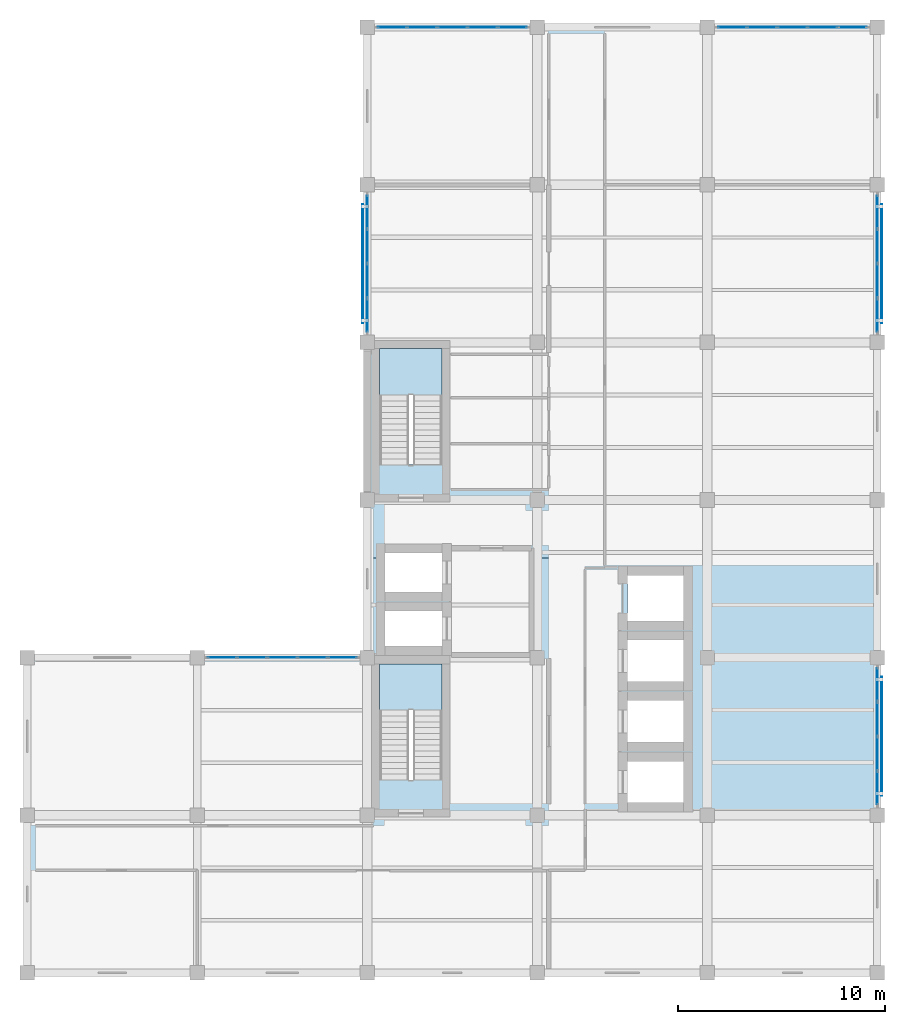
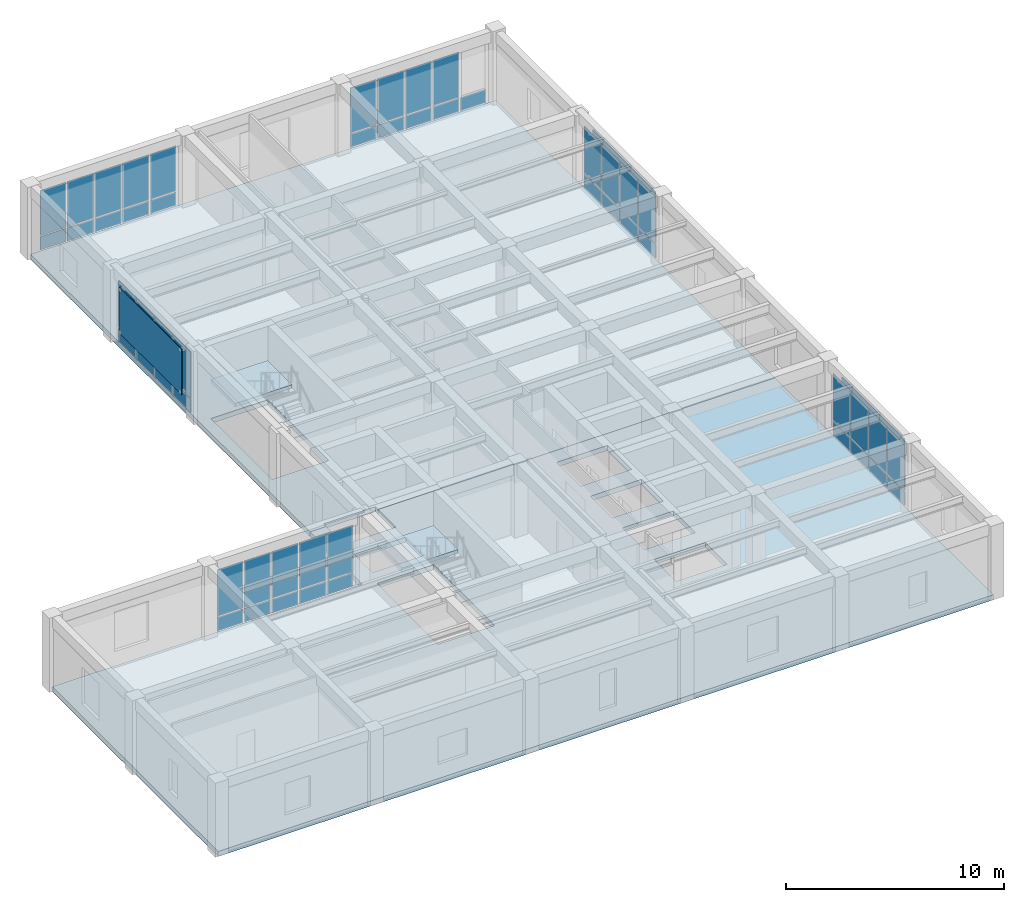
# One storey, part 6 of 13: 56 plates, 4 slabs, 8 elements without a shape of their own.
"""IFC4 building model written with IfcOpenShell, lengths in metres."""

from ifc_helpers import new_model, si_unit, direction, frame, origin, origin_2d, place, context, subcontext, project, spatial, polyline, rectangle, outline, extrude, material, layer, layer_set, type_object, element, aggregate, save


model = new_model("IFC4")

# Units and contexts
model_context = context("Model", 3, precision=1e-05, world=origin(), true_north=direction((0.0, 1.0)))
body_context = subcontext(model_context, "Body", "Model", "MODEL_VIEW")
ifc_project = project(units=[si_unit("LENGTHUNIT", "METRE"), si_unit("AREAUNIT", "SQUARE_METRE"), si_unit("VOLUMEUNIT", "CUBIC_METRE"), si_unit("PLANEANGLEUNIT", "RADIAN"), si_unit("MASSUNIT", "GRAM", prefix="KILO")], contexts=[model_context])

# Site, building, storey
site_placement = place(None, origin())
site = spatial("IfcSite", under=ifc_project, at=site_placement, CompositionType="ELEMENT")
building_placement = place(site_placement, origin())
building = spatial("IfcBuilding", under=site, at=building_placement, Name="Qandaris Square Conservatory and Botanical Centre", CompositionType="ELEMENT")
storey_placement = place(building_placement, frame((0.0, 0.0, 61.800048828125)))
storey = spatial("IfcBuildingStorey", under=building, at=storey_placement, Name="L14", CompositionType="ELEMENT", Elevation=61.800048828125)

# Curtain wall, plates
ifc_material_1 = material(Name="Anodised Aluminium", Category="aluminium")
curtain_wall_type_1 = type_object("IfcCurtainWallType", Name="Unitised Curtain Wall CW-4-670x355", PredefinedType="USERDEFINED", material=ifc_material_1)
curtain_wall_1_placement = place(storey_placement, origin())
curtain_wall_1 = element("IfcCurtainWall", 1, at=curtain_wall_1_placement, inside=storey, type_object=curtain_wall_type_1, Name="Curtain Wall CW-TWR-L14-2-2", ObjectType="GLAZED CURTAIN WALL", PredefinedType="USERDEFINED")
ifc_material_2 = material(Name="Tempered Low-E Glass", Category="glass")
ifc_layer_1 = layer(ifc_material_2, 0.035888671875)
ifc_layer_set_1 = layer_set([ifc_layer_1], Name="Tempered Low-E Glass")
plate_type_1 = type_object("IfcPlateType", Name="Double-Glazed Solar Control Vision Unit 36mm", PredefinedType="CURTAIN_PANEL", material=ifc_layer_set_1)
plate_1_placement = place(storey_placement, frame((163.800048828125, 25.503662109375, 0.06494140625), z_axis=(0.0, 0.0, 1.0), x_axis=(0.0, 1.0, 0.0)))
plate_1 = element("IfcPlate", 2, at=plate_1_placement, type_object=plate_type_1, Name="CW-4-670x355 panel 1.1", PredefinedType="CURTAIN_PANEL", context=body_context, shape_type="SweptSolid", body=[
    extrude(rectangle(XDim=1.577392578125, YDim=0.035888671875, at=origin_2d()), origin(), (0.0, 0.0, 1.0), 0.75244140625),
])
plate_2_placement = place(storey_placement, frame((163.800048828125, 25.503662109375, 0.88232421875), z_axis=(0.0, 0.0, 1.0), x_axis=(0.0, 1.0, 0.0)))
plate_2 = element("IfcPlate", 3, at=plate_2_placement, type_object=plate_type_1, Name="CW-4-670x355 panel 1.2", PredefinedType="CURTAIN_PANEL", context=body_context, shape_type="SweptSolid", body=[
    extrude(rectangle(XDim=1.577392578125, YDim=0.035888671875, at=origin_2d()), origin(), (0.0, 0.0, 1.0), 2.597412109375),
])
plate_3_placement = place(storey_placement, frame((163.800048828125, 27.16259765625, 0.06494140625), z_axis=(0.0, 0.0, 1.0), x_axis=(0.0, 1.0, 0.0)))
plate_3 = element("IfcPlate", 4, at=plate_3_placement, type_object=plate_type_1, Name="CW-4-670x355 panel 2.1", PredefinedType="CURTAIN_PANEL", context=body_context, shape_type="SweptSolid", body=[
    extrude(rectangle(XDim=1.610107421875, YDim=0.035888671875, at=origin_2d()), origin(), (0.0, 0.0, 1.0), 0.75244140625),
])
plate_4_placement = place(storey_placement, frame((163.800048828125, 27.16259765625, 0.88232421875), z_axis=(0.0, 0.0, 1.0), x_axis=(0.0, 1.0, 0.0)))
plate_4 = element("IfcPlate", 5, at=plate_4_placement, type_object=plate_type_1, Name="CW-4-670x355 panel 2.2", PredefinedType="CURTAIN_PANEL", context=body_context, shape_type="SweptSolid", body=[
    extrude(rectangle(XDim=1.610107421875, YDim=0.035888671875, at=origin_2d()), origin(), (0.0, 0.0, 1.0), 2.597412109375),
])
plate_5_placement = place(storey_placement, frame((163.800048828125, 28.83740234375, 0.06494140625), z_axis=(0.0, 0.0, 1.0), x_axis=(0.0, 1.0, 0.0)))
plate_5 = element("IfcPlate", 6, at=plate_5_placement, type_object=plate_type_1, Name="CW-4-670x355 panel 3.1", PredefinedType="CURTAIN_PANEL", context=body_context, shape_type="SweptSolid", body=[
    extrude(rectangle(XDim=1.610107421875, YDim=0.035888671875, at=origin_2d()), origin(), (0.0, 0.0, 1.0), 0.75244140625),
])
plate_6_placement = place(storey_placement, frame((163.800048828125, 28.83740234375, 0.88232421875), z_axis=(0.0, 0.0, 1.0), x_axis=(0.0, 1.0, 0.0)))
plate_6 = element("IfcPlate", 7, at=plate_6_placement, type_object=plate_type_1, Name="CW-4-670x355 panel 3.2", PredefinedType="CURTAIN_PANEL", context=body_context, shape_type="SweptSolid", body=[
    extrude(rectangle(XDim=1.610107421875, YDim=0.035888671875, at=origin_2d()), origin(), (0.0, 0.0, 1.0), 2.597412109375),
])
plate_7_placement = place(storey_placement, frame((163.800048828125, 30.496337890625, 0.06494140625), z_axis=(0.0, 0.0, 1.0), x_axis=(0.0, 1.0, 0.0)))
plate_7 = element("IfcPlate", 8, at=plate_7_placement, type_object=plate_type_1, Name="CW-4-670x355 panel 4.1", PredefinedType="CURTAIN_PANEL", context=body_context, shape_type="SweptSolid", body=[
    extrude(rectangle(XDim=1.577392578125, YDim=0.035888671875, at=origin_2d()), origin(), (0.0, 0.0, 1.0), 0.75244140625),
])
plate_8_placement = place(storey_placement, frame((163.800048828125, 30.496337890625, 0.88232421875), z_axis=(0.0, 0.0, 1.0), x_axis=(0.0, 1.0, 0.0)))
plate_8 = element("IfcPlate", 9, at=plate_8_placement, type_object=plate_type_1, Name="CW-4-670x355 panel 4.2", PredefinedType="CURTAIN_PANEL", context=body_context, shape_type="SweptSolid", body=[
    extrude(rectangle(XDim=1.577392578125, YDim=0.035888671875, at=origin_2d()), origin(), (0.0, 0.0, 1.0), 2.597412109375),
])
aggregate(curtain_wall_1, [plate_1, plate_2, plate_3, plate_4, plate_5, plate_6, plate_7, plate_8])

curtain_wall_2_placement = place(storey_placement, origin())
curtain_wall_2 = element("IfcCurtainWall", 10, at=curtain_wall_2_placement, inside=storey, type_object=curtain_wall_type_1, Name="Curtain Wall CW-TWR-L14-2-5", ObjectType="GLAZED CURTAIN WALL", PredefinedType="USERDEFINED")
plate_9_placement = place(storey_placement, frame((163.800048828125, 48.3037109375, 0.06494140625), z_axis=(0.0, 0.0, 1.0), x_axis=(0.0, 1.0, 0.0)))
plate_9 = element("IfcPlate", 11, at=plate_9_placement, type_object=plate_type_1, Name="CW-4-670x355 panel 1.1", PredefinedType="CURTAIN_PANEL", context=body_context, shape_type="SweptSolid", body=[
    extrude(rectangle(XDim=1.577392578125, YDim=0.035888671875, at=origin_2d()), origin(), (0.0, 0.0, 1.0), 0.75244140625),
])
plate_10_placement = place(storey_placement, frame((163.800048828125, 48.3037109375, 0.88232421875), z_axis=(0.0, 0.0, 1.0), x_axis=(0.0, 1.0, 0.0)))
plate_10 = element("IfcPlate", 12, at=plate_10_placement, type_object=plate_type_1, Name="CW-4-670x355 panel 1.2", PredefinedType="CURTAIN_PANEL", context=body_context, shape_type="SweptSolid", body=[
    extrude(rectangle(XDim=1.577392578125, YDim=0.035888671875, at=origin_2d()), origin(), (0.0, 0.0, 1.0), 2.597412109375),
])
plate_11_placement = place(storey_placement, frame((163.800048828125, 49.96240234375, 0.06494140625), z_axis=(0.0, 0.0, 1.0), x_axis=(0.0, 1.0, 0.0)))
plate_11 = element("IfcPlate", 13, at=plate_11_placement, type_object=plate_type_1, Name="CW-4-670x355 panel 2.1", PredefinedType="CURTAIN_PANEL", context=body_context, shape_type="SweptSolid", body=[
    extrude(rectangle(XDim=1.610107421875, YDim=0.035888671875, at=origin_2d()), origin(), (0.0, 0.0, 1.0), 0.75244140625),
])
plate_12_placement = place(storey_placement, frame((163.800048828125, 49.96240234375, 0.88232421875), z_axis=(0.0, 0.0, 1.0), x_axis=(0.0, 1.0, 0.0)))
plate_12 = element("IfcPlate", 14, at=plate_12_placement, type_object=plate_type_1, Name="CW-4-670x355 panel 2.2", PredefinedType="CURTAIN_PANEL", context=body_context, shape_type="SweptSolid", body=[
    extrude(rectangle(XDim=1.610107421875, YDim=0.035888671875, at=origin_2d()), origin(), (0.0, 0.0, 1.0), 2.597412109375),
])
plate_13_placement = place(storey_placement, frame((163.800048828125, 51.637451171875, 0.06494140625), z_axis=(0.0, 0.0, 1.0), x_axis=(0.0, 1.0, 0.0)))
plate_13 = element("IfcPlate", 15, at=plate_13_placement, type_object=plate_type_1, Name="CW-4-670x355 panel 3.1", PredefinedType="CURTAIN_PANEL", context=body_context, shape_type="SweptSolid", body=[
    extrude(rectangle(XDim=1.610107421875, YDim=0.035888671875, at=origin_2d()), origin(), (0.0, 0.0, 1.0), 0.75244140625),
])
plate_14_placement = place(storey_placement, frame((163.800048828125, 51.637451171875, 0.88232421875), z_axis=(0.0, 0.0, 1.0), x_axis=(0.0, 1.0, 0.0)))
plate_14 = element("IfcPlate", 16, at=plate_14_placement, type_object=plate_type_1, Name="CW-4-670x355 panel 3.2", PredefinedType="CURTAIN_PANEL", context=body_context, shape_type="SweptSolid", body=[
    extrude(rectangle(XDim=1.610107421875, YDim=0.035888671875, at=origin_2d()), origin(), (0.0, 0.0, 1.0), 2.597412109375),
])
plate_15_placement = place(storey_placement, frame((163.800048828125, 53.296142578125, 0.06494140625), z_axis=(0.0, 0.0, 1.0), x_axis=(0.0, 1.0, 0.0)))
plate_15 = element("IfcPlate", 17, at=plate_15_placement, type_object=plate_type_1, Name="CW-4-670x355 panel 4.1", PredefinedType="CURTAIN_PANEL", context=body_context, shape_type="SweptSolid", body=[
    extrude(rectangle(XDim=1.577392578125, YDim=0.035888671875, at=origin_2d()), origin(), (0.0, 0.0, 1.0), 0.75244140625),
])
plate_16_placement = place(storey_placement, frame((163.800048828125, 53.296142578125, 0.88232421875), z_axis=(0.0, 0.0, 1.0), x_axis=(0.0, 1.0, 0.0)))
plate_16 = element("IfcPlate", 18, at=plate_16_placement, type_object=plate_type_1, Name="CW-4-670x355 panel 4.2", PredefinedType="CURTAIN_PANEL", context=body_context, shape_type="SweptSolid", body=[
    extrude(rectangle(XDim=1.577392578125, YDim=0.035888671875, at=origin_2d()), origin(), (0.0, 0.0, 1.0), 2.597412109375),
])
aggregate(curtain_wall_2, [plate_9, plate_10, plate_11, plate_12, plate_13, plate_14, plate_15, plate_16])

curtain_wall_type_2 = type_object("IfcCurtainWallType", Name="Unitised Curtain Wall CW-3-730x344", PredefinedType="USERDEFINED", material=ifc_material_1)
curtain_wall_3_placement = place(storey_placement, origin())
curtain_wall_3 = element("IfcCurtainWall", 19, at=curtain_wall_3_placement, inside=storey, type_object=curtain_wall_type_2, Name="Curtain Wall CW-TWR-L14-3-1", ObjectType="GLAZED CURTAIN WALL", PredefinedType="USERDEFINED")
plate_17_placement = place(storey_placement, frame((162.603759765625, 62.199951171875, 0.06494140625), z_axis=(0.0, 0.0, 1.0), x_axis=(-1.0, 0.0, 0.0)))
plate_17 = element("IfcPlate", 20, at=plate_17_placement, type_object=plate_type_1, Name="CW-3-730x344 panel 1.1", PredefinedType="CURTAIN_PANEL", context=body_context, shape_type="SweptSolid", body=[
    extrude(rectangle(XDim=1.362548828125, YDim=0.035888671875, at=origin_2d()), origin(), (0.0, 0.0, 1.0), 0.72802734375),
])
plate_18_placement = place(storey_placement, frame((161.159912109375, 62.199951171875, 0.06494140625), z_axis=(0.0, 0.0, 1.0), x_axis=(-1.0, 0.0, 0.0)))
plate_18 = element("IfcPlate", 21, at=plate_18_placement, type_object=plate_type_1, Name="CW-3-730x344 panel 2.1", PredefinedType="CURTAIN_PANEL", context=body_context, shape_type="SweptSolid", body=[
    extrude(rectangle(XDim=1.39501953125, YDim=0.035888671875, at=origin_2d()), origin(), (0.0, 0.0, 1.0), 0.72802734375),
])
plate_19_placement = place(storey_placement, frame((161.159912109375, 62.199951171875, 0.85791015625), z_axis=(0.0, 0.0, 1.0), x_axis=(-1.0, 0.0, 0.0)))
plate_19 = element("IfcPlate", 22, at=plate_19_placement, type_object=plate_type_1, Name="CW-3-730x344 panel 2.2", PredefinedType="CURTAIN_PANEL", context=body_context, shape_type="SweptSolid", body=[
    extrude(rectangle(XDim=1.39501953125, YDim=0.035888671875, at=origin_2d()), origin(), (0.0, 0.0, 1.0), 2.516845703125),
])
plate_20_placement = place(storey_placement, frame((159.699951171875, 62.199951171875, 0.06494140625), z_axis=(0.0, 0.0, 1.0), x_axis=(-1.0, 0.0, 0.0)))
plate_20 = element("IfcPlate", 23, at=plate_20_placement, type_object=plate_type_1, Name="CW-3-730x344 panel 3.1", PredefinedType="CURTAIN_PANEL", context=body_context, shape_type="SweptSolid", body=[
    extrude(rectangle(XDim=1.39501953125, YDim=0.035888671875, at=origin_2d()), origin(), (0.0, 0.0, 1.0), 0.72802734375),
])
plate_21_placement = place(storey_placement, frame((159.699951171875, 62.199951171875, 0.85791015625), z_axis=(0.0, 0.0, 1.0), x_axis=(-1.0, 0.0, 0.0)))
plate_21 = element("IfcPlate", 24, at=plate_21_placement, type_object=plate_type_1, Name="CW-3-730x344 panel 3.2", PredefinedType="CURTAIN_PANEL", context=body_context, shape_type="SweptSolid", body=[
    extrude(rectangle(XDim=1.39501953125, YDim=0.035888671875, at=origin_2d()), origin(), (0.0, 0.0, 1.0), 2.516845703125),
])
plate_22_placement = place(storey_placement, frame((158.239990234375, 62.199951171875, 0.06494140625), z_axis=(0.0, 0.0, 1.0), x_axis=(-1.0, 0.0, 0.0)))
plate_22 = element("IfcPlate", 25, at=plate_22_placement, type_object=plate_type_1, Name="CW-3-730x344 panel 4.1", PredefinedType="CURTAIN_PANEL", context=body_context, shape_type="SweptSolid", body=[
    extrude(rectangle(XDim=1.39501953125, YDim=0.035888671875, at=origin_2d()), origin(), (0.0, 0.0, 1.0), 0.72802734375),
])
plate_23_placement = place(storey_placement, frame((158.239990234375, 62.199951171875, 0.85791015625), z_axis=(0.0, 0.0, 1.0), x_axis=(-1.0, 0.0, 0.0)))
plate_23 = element("IfcPlate", 26, at=plate_23_placement, type_object=plate_type_1, Name="CW-3-730x344 panel 4.2", PredefinedType="CURTAIN_PANEL", context=body_context, shape_type="SweptSolid", body=[
    extrude(rectangle(XDim=1.39501953125, YDim=0.035888671875, at=origin_2d()), origin(), (0.0, 0.0, 1.0), 2.516845703125),
])
plate_24_placement = place(storey_placement, frame((156.796142578125, 62.199951171875, 0.06494140625), z_axis=(0.0, 0.0, 1.0), x_axis=(-1.0, 0.0, 0.0)))
plate_24 = element("IfcPlate", 27, at=plate_24_placement, type_object=plate_type_1, Name="CW-3-730x344 panel 5.1", PredefinedType="CURTAIN_PANEL", context=body_context, shape_type="SweptSolid", body=[
    extrude(rectangle(XDim=1.362548828125, YDim=0.035888671875, at=origin_2d()), origin(), (0.0, 0.0, 1.0), 0.72802734375),
])
plate_25_placement = place(storey_placement, frame((156.796142578125, 62.199951171875, 0.85791015625), z_axis=(0.0, 0.0, 1.0), x_axis=(-1.0, 0.0, 0.0)))
plate_25 = element("IfcPlate", 28, at=plate_25_placement, type_object=plate_type_1, Name="CW-3-730x344 panel 5.2", PredefinedType="CURTAIN_PANEL", context=body_context, shape_type="SweptSolid", body=[
    extrude(rectangle(XDim=1.362548828125, YDim=0.035888671875, at=origin_2d()), origin(), (0.0, 0.0, 1.0), 2.516845703125),
])
aggregate(curtain_wall_3, [plate_17, plate_18, plate_19, plate_20, plate_21, plate_22, plate_23, plate_24, plate_25])

curtain_wall_4_placement = place(storey_placement, origin())
curtain_wall_4 = element("IfcCurtainWall", 29, at=curtain_wall_4_placement, inside=storey, type_object=curtain_wall_type_2, Name="Curtain Wall CW-TWR-L14-3-3", ObjectType="GLAZED CURTAIN WALL", PredefinedType="USERDEFINED")
plate_26_placement = place(storey_placement, frame((146.203857421875, 62.199951171875, 0.06494140625), z_axis=(0.0, 0.0, 1.0), x_axis=(-1.0, 0.0, 0.0)))
plate_26 = element("IfcPlate", 30, at=plate_26_placement, type_object=plate_type_1, Name="CW-3-730x344 panel 1.1", PredefinedType="CURTAIN_PANEL", context=body_context, shape_type="SweptSolid", body=[
    extrude(rectangle(XDim=1.362548828125, YDim=0.035888671875, at=origin_2d()), origin(), (0.0, 0.0, 1.0), 0.72802734375),
])
plate_27_placement = place(storey_placement, frame((146.203857421875, 62.199951171875, 0.85791015625), z_axis=(0.0, 0.0, 1.0), x_axis=(-1.0, 0.0, 0.0)))
plate_27 = element("IfcPlate", 31, at=plate_27_placement, type_object=plate_type_1, Name="CW-3-730x344 panel 1.2", PredefinedType="CURTAIN_PANEL", context=body_context, shape_type="SweptSolid", body=[
    extrude(rectangle(XDim=1.362548828125, YDim=0.035888671875, at=origin_2d()), origin(), (0.0, 0.0, 1.0), 2.516845703125),
])
plate_28_placement = place(storey_placement, frame((144.760009765625, 62.199951171875, 0.06494140625), z_axis=(0.0, 0.0, 1.0), x_axis=(-1.0, 0.0, 0.0)))
plate_28 = element("IfcPlate", 32, at=plate_28_placement, type_object=plate_type_1, Name="CW-3-730x344 panel 2.1", PredefinedType="CURTAIN_PANEL", context=body_context, shape_type="SweptSolid", body=[
    extrude(rectangle(XDim=1.39501953125, YDim=0.035888671875, at=origin_2d()), origin(), (0.0, 0.0, 1.0), 0.72802734375),
])
plate_29_placement = place(storey_placement, frame((144.760009765625, 62.199951171875, 0.85791015625), z_axis=(0.0, 0.0, 1.0), x_axis=(-1.0, 0.0, 0.0)))
plate_29 = element("IfcPlate", 33, at=plate_29_placement, type_object=plate_type_1, Name="CW-3-730x344 panel 2.2", PredefinedType="CURTAIN_PANEL", context=body_context, shape_type="SweptSolid", body=[
    extrude(rectangle(XDim=1.39501953125, YDim=0.035888671875, at=origin_2d()), origin(), (0.0, 0.0, 1.0), 2.516845703125),
])
plate_30_placement = place(storey_placement, frame((143.300048828125, 62.199951171875, 0.06494140625), z_axis=(0.0, 0.0, 1.0), x_axis=(-1.0, 0.0, 0.0)))
plate_30 = element("IfcPlate", 34, at=plate_30_placement, type_object=plate_type_1, Name="CW-3-730x344 panel 3.1", PredefinedType="CURTAIN_PANEL", context=body_context, shape_type="SweptSolid", body=[
    extrude(rectangle(XDim=1.39501953125, YDim=0.035888671875, at=origin_2d()), origin(), (0.0, 0.0, 1.0), 0.72802734375),
])
plate_31_placement = place(storey_placement, frame((143.300048828125, 62.199951171875, 0.85791015625), z_axis=(0.0, 0.0, 1.0), x_axis=(-1.0, 0.0, 0.0)))
plate_31 = element("IfcPlate", 35, at=plate_31_placement, type_object=plate_type_1, Name="CW-3-730x344 panel 3.2", PredefinedType="CURTAIN_PANEL", context=body_context, shape_type="SweptSolid", body=[
    extrude(rectangle(XDim=1.39501953125, YDim=0.035888671875, at=origin_2d()), origin(), (0.0, 0.0, 1.0), 2.516845703125),
])
plate_32_placement = place(storey_placement, frame((141.840087890625, 62.199951171875, 0.06494140625), z_axis=(0.0, 0.0, 1.0), x_axis=(-1.0, 0.0, 0.0)))
plate_32 = element("IfcPlate", 36, at=plate_32_placement, type_object=plate_type_1, Name="CW-3-730x344 panel 4.1", PredefinedType="CURTAIN_PANEL", context=body_context, shape_type="SweptSolid", body=[
    extrude(rectangle(XDim=1.39501953125, YDim=0.035888671875, at=origin_2d()), origin(), (0.0, 0.0, 1.0), 0.72802734375),
])
plate_33_placement = place(storey_placement, frame((141.840087890625, 62.199951171875, 0.85791015625), z_axis=(0.0, 0.0, 1.0), x_axis=(-1.0, 0.0, 0.0)))
plate_33 = element("IfcPlate", 37, at=plate_33_placement, type_object=plate_type_1, Name="CW-3-730x344 panel 4.2", PredefinedType="CURTAIN_PANEL", context=body_context, shape_type="SweptSolid", body=[
    extrude(rectangle(XDim=1.39501953125, YDim=0.035888671875, at=origin_2d()), origin(), (0.0, 0.0, 1.0), 2.516845703125),
])
plate_34_placement = place(storey_placement, frame((140.396240234375, 62.199951171875, 0.06494140625), z_axis=(0.0, 0.0, 1.0), x_axis=(-1.0, 0.0, 0.0)))
plate_34 = element("IfcPlate", 38, at=plate_34_placement, type_object=plate_type_1, Name="CW-3-730x344 panel 5.1", PredefinedType="CURTAIN_PANEL", context=body_context, shape_type="SweptSolid", body=[
    extrude(rectangle(XDim=1.362548828125, YDim=0.035888671875, at=origin_2d()), origin(), (0.0, 0.0, 1.0), 0.72802734375),
])
plate_35_placement = place(storey_placement, frame((140.396240234375, 62.199951171875, 0.85791015625), z_axis=(0.0, 0.0, 1.0), x_axis=(-1.0, 0.0, 0.0)))
plate_35 = element("IfcPlate", 39, at=plate_35_placement, type_object=plate_type_1, Name="CW-3-730x344 panel 5.2", PredefinedType="CURTAIN_PANEL", context=body_context, shape_type="SweptSolid", body=[
    extrude(rectangle(XDim=1.362548828125, YDim=0.035888671875, at=origin_2d()), origin(), (0.0, 0.0, 1.0), 2.516845703125),
])
aggregate(curtain_wall_4, [plate_26, plate_27, plate_28, plate_29, plate_30, plate_31, plate_32, plate_33, plate_34, plate_35])

curtain_wall_type_3 = type_object("IfcCurtainWallType", Name="Unitised Curtain Wall CW-4-670x351", PredefinedType="USERDEFINED", material=ifc_material_1)
curtain_wall_5_placement = place(storey_placement, origin())
curtain_wall_5 = element("IfcCurtainWall", 40, at=curtain_wall_5_placement, inside=storey, type_object=curtain_wall_type_3, Name="Curtain Wall CW-TWR-L14-4-2", ObjectType="GLAZED CURTAIN WALL", PredefinedType="USERDEFINED")
plate_36_placement = place(storey_placement, frame((139.199951171875, 53.296142578125, 0.06494140625), z_axis=(0.0, 0.0, 1.0), x_axis=(0.0, -1.0, 0.0)))
plate_36 = element("IfcPlate", 41, at=plate_36_placement, type_object=plate_type_1, Name="CW-4-670x351 panel 1.1", PredefinedType="CURTAIN_PANEL", context=body_context, shape_type="SweptSolid", body=[
    extrude(rectangle(XDim=1.577392578125, YDim=0.035888671875, at=origin_2d()), origin(), (0.0, 0.0, 1.0), 0.744873046875),
])
plate_37_placement = place(storey_placement, frame((139.199951171875, 53.296142578125, 0.875), z_axis=(0.0, 0.0, 1.0), x_axis=(0.0, -1.0, 0.0)))
plate_37 = element("IfcPlate", 42, at=plate_37_placement, type_object=plate_type_1, Name="CW-4-670x351 panel 1.2", PredefinedType="CURTAIN_PANEL", context=body_context, shape_type="SweptSolid", body=[
    extrude(rectangle(XDim=1.577392578125, YDim=0.035888671875, at=origin_2d()), origin(), (0.0, 0.0, 1.0), 2.570068359375),
])
plate_38_placement = place(storey_placement, frame((139.199951171875, 51.637451171875, 0.06494140625), z_axis=(0.0, 0.0, 1.0), x_axis=(0.0, -1.0, 0.0)))
plate_38 = element("IfcPlate", 43, at=plate_38_placement, type_object=plate_type_1, Name="CW-4-670x351 panel 2.1", PredefinedType="CURTAIN_PANEL", context=body_context, shape_type="SweptSolid", body=[
    extrude(rectangle(XDim=1.610107421875, YDim=0.035888671875, at=origin_2d()), origin(), (0.0, 0.0, 1.0), 0.744873046875),
])
plate_39_placement = place(storey_placement, frame((139.199951171875, 51.637451171875, 0.875), z_axis=(0.0, 0.0, 1.0), x_axis=(0.0, -1.0, 0.0)))
plate_39 = element("IfcPlate", 44, at=plate_39_placement, type_object=plate_type_1, Name="CW-4-670x351 panel 2.2", PredefinedType="CURTAIN_PANEL", context=body_context, shape_type="SweptSolid", body=[
    extrude(rectangle(XDim=1.610107421875, YDim=0.035888671875, at=origin_2d()), origin(), (0.0, 0.0, 1.0), 2.570068359375),
])
plate_40_placement = place(storey_placement, frame((139.199951171875, 49.96240234375, 0.06494140625), z_axis=(0.0, 0.0, 1.0), x_axis=(0.0, -1.0, 0.0)))
plate_40 = element("IfcPlate", 45, at=plate_40_placement, type_object=plate_type_1, Name="CW-4-670x351 panel 3.1", PredefinedType="CURTAIN_PANEL", context=body_context, shape_type="SweptSolid", body=[
    extrude(rectangle(XDim=1.610107421875, YDim=0.035888671875, at=origin_2d()), origin(), (0.0, 0.0, 1.0), 0.744873046875),
])
plate_41_placement = place(storey_placement, frame((139.199951171875, 49.96240234375, 0.875), z_axis=(0.0, 0.0, 1.0), x_axis=(0.0, -1.0, 0.0)))
plate_41 = element("IfcPlate", 46, at=plate_41_placement, type_object=plate_type_1, Name="CW-4-670x351 panel 3.2", PredefinedType="CURTAIN_PANEL", context=body_context, shape_type="SweptSolid", body=[
    extrude(rectangle(XDim=1.610107421875, YDim=0.035888671875, at=origin_2d()), origin(), (0.0, 0.0, 1.0), 2.570068359375),
])
plate_42_placement = place(storey_placement, frame((139.199951171875, 48.3037109375, 0.06494140625), z_axis=(0.0, 0.0, 1.0), x_axis=(0.0, -1.0, 0.0)))
plate_42 = element("IfcPlate", 47, at=plate_42_placement, type_object=plate_type_1, Name="CW-4-670x351 panel 4.1", PredefinedType="CURTAIN_PANEL", context=body_context, shape_type="SweptSolid", body=[
    extrude(rectangle(XDim=1.577392578125, YDim=0.035888671875, at=origin_2d()), origin(), (0.0, 0.0, 1.0), 0.744873046875),
])
plate_43_placement = place(storey_placement, frame((139.199951171875, 48.3037109375, 0.875), z_axis=(0.0, 0.0, 1.0), x_axis=(0.0, -1.0, 0.0)))
plate_43 = element("IfcPlate", 48, at=plate_43_placement, type_object=plate_type_1, Name="CW-4-670x351 panel 4.2", PredefinedType="CURTAIN_PANEL", context=body_context, shape_type="SweptSolid", body=[
    extrude(rectangle(XDim=1.577392578125, YDim=0.035888671875, at=origin_2d()), origin(), (0.0, 0.0, 1.0), 2.570068359375),
])
aggregate(curtain_wall_5, [plate_36, plate_37, plate_38, plate_39, plate_40, plate_41, plate_42, plate_43])

curtain_wall_type_4 = type_object("IfcCurtainWallType", Name="Unitised Curtain Wall CW-4-730x355", PredefinedType="USERDEFINED", material=ifc_material_1)
curtain_wall_6_placement = place(storey_placement, origin())
curtain_wall_6 = element("IfcCurtainWall", 49, at=curtain_wall_6_placement, inside=storey, type_object=curtain_wall_type_4, Name="Curtain Wall CW-TWR-L14-5-1", ObjectType="GLAZED CURTAIN WALL", PredefinedType="USERDEFINED")
plate_44_placement = place(storey_placement, frame((138.003662109375, 31.800048828125, 0.06494140625), z_axis=(0.0, 0.0, 1.0), x_axis=(-1.0, 0.0, 0.0)))
plate_44 = element("IfcPlate", 50, at=plate_44_placement, type_object=plate_type_1, Name="CW-4-730x355 panel 1.1", PredefinedType="CURTAIN_PANEL", context=body_context, shape_type="SweptSolid", body=[
    extrude(rectangle(XDim=1.362548828125, YDim=0.035888671875, at=origin_2d()), origin(), (0.0, 0.0, 1.0), 0.75244140625),
])
plate_45_placement = place(storey_placement, frame((138.003662109375, 31.800048828125, 0.88232421875), z_axis=(0.0, 0.0, 1.0), x_axis=(-1.0, 0.0, 0.0)))
plate_45 = element("IfcPlate", 51, at=plate_45_placement, type_object=plate_type_1, Name="CW-4-730x355 panel 1.2", PredefinedType="CURTAIN_PANEL", context=body_context, shape_type="SweptSolid", body=[
    extrude(rectangle(XDim=1.362548828125, YDim=0.035888671875, at=origin_2d()), origin(), (0.0, 0.0, 1.0), 2.597412109375),
])
plate_46_placement = place(storey_placement, frame((136.56005859375, 31.800048828125, 0.06494140625), z_axis=(0.0, 0.0, 1.0), x_axis=(-1.0, 0.0, 0.0)))
plate_46 = element("IfcPlate", 52, at=plate_46_placement, type_object=plate_type_1, Name="CW-4-730x355 panel 2.1", PredefinedType="CURTAIN_PANEL", context=body_context, shape_type="SweptSolid", body=[
    extrude(rectangle(XDim=1.39501953125, YDim=0.035888671875, at=origin_2d()), origin(), (0.0, 0.0, 1.0), 0.75244140625),
])
plate_47_placement = place(storey_placement, frame((136.56005859375, 31.800048828125, 0.88232421875), z_axis=(0.0, 0.0, 1.0), x_axis=(-1.0, 0.0, 0.0)))
plate_47 = element("IfcPlate", 53, at=plate_47_placement, type_object=plate_type_1, Name="CW-4-730x355 panel 2.2", PredefinedType="CURTAIN_PANEL", context=body_context, shape_type="SweptSolid", body=[
    extrude(rectangle(XDim=1.39501953125, YDim=0.035888671875, at=origin_2d()), origin(), (0.0, 0.0, 1.0), 2.597412109375),
])
plate_48_placement = place(storey_placement, frame((135.10009765625, 31.800048828125, 0.06494140625), z_axis=(0.0, 0.0, 1.0), x_axis=(-1.0, 0.0, 0.0)))
plate_48 = element("IfcPlate", 54, at=plate_48_placement, type_object=plate_type_1, Name="CW-4-730x355 panel 3.1", PredefinedType="CURTAIN_PANEL", context=body_context, shape_type="SweptSolid", body=[
    extrude(rectangle(XDim=1.39501953125, YDim=0.035888671875, at=origin_2d()), origin(), (0.0, 0.0, 1.0), 0.75244140625),
])
plate_49_placement = place(storey_placement, frame((135.10009765625, 31.800048828125, 0.88232421875), z_axis=(0.0, 0.0, 1.0), x_axis=(-1.0, 0.0, 0.0)))
plate_49 = element("IfcPlate", 55, at=plate_49_placement, type_object=plate_type_1, Name="CW-4-730x355 panel 3.2", PredefinedType="CURTAIN_PANEL", context=body_context, shape_type="SweptSolid", body=[
    extrude(rectangle(XDim=1.39501953125, YDim=0.035888671875, at=origin_2d()), origin(), (0.0, 0.0, 1.0), 2.597412109375),
])
plate_50_placement = place(storey_placement, frame((133.639892578125, 31.800048828125, 0.06494140625), z_axis=(0.0, 0.0, 1.0), x_axis=(-1.0, 0.0, 0.0)))
plate_50 = element("IfcPlate", 56, at=plate_50_placement, type_object=plate_type_1, Name="CW-4-730x355 panel 4.1", PredefinedType="CURTAIN_PANEL", context=body_context, shape_type="SweptSolid", body=[
    extrude(rectangle(XDim=1.39501953125, YDim=0.035888671875, at=origin_2d()), origin(), (0.0, 0.0, 1.0), 0.75244140625),
])
plate_51_placement = place(storey_placement, frame((133.639892578125, 31.800048828125, 0.88232421875), z_axis=(0.0, 0.0, 1.0), x_axis=(-1.0, 0.0, 0.0)))
plate_51 = element("IfcPlate", 57, at=plate_51_placement, type_object=plate_type_1, Name="CW-4-730x355 panel 4.2", PredefinedType="CURTAIN_PANEL", context=body_context, shape_type="SweptSolid", body=[
    extrude(rectangle(XDim=1.39501953125, YDim=0.035888671875, at=origin_2d()), origin(), (0.0, 0.0, 1.0), 2.597412109375),
])
plate_52_placement = place(storey_placement, frame((132.1962890625, 31.800048828125, 0.06494140625), z_axis=(0.0, 0.0, 1.0), x_axis=(-1.0, 0.0, 0.0)))
plate_52 = element("IfcPlate", 58, at=plate_52_placement, type_object=plate_type_1, Name="CW-4-730x355 panel 5.1", PredefinedType="CURTAIN_PANEL", context=body_context, shape_type="SweptSolid", body=[
    extrude(rectangle(XDim=1.362548828125, YDim=0.035888671875, at=origin_2d()), origin(), (0.0, 0.0, 1.0), 0.75244140625),
])
plate_53_placement = place(storey_placement, frame((132.1962890625, 31.800048828125, 0.88232421875), z_axis=(0.0, 0.0, 1.0), x_axis=(-1.0, 0.0, 0.0)))
plate_53 = element("IfcPlate", 59, at=plate_53_placement, type_object=plate_type_1, Name="CW-4-730x355 panel 5.2", PredefinedType="CURTAIN_PANEL", context=body_context, shape_type="SweptSolid", body=[
    extrude(rectangle(XDim=1.362548828125, YDim=0.035888671875, at=origin_2d()), origin(), (0.0, 0.0, 1.0), 2.597412109375),
])
aggregate(curtain_wall_6, [plate_44, plate_45, plate_46, plate_47, plate_48, plate_49, plate_50, plate_51, plate_52, plate_53])

# Plates
ifc_material_3 = material(Name="Weathering Bronze Alloy", Category="metal")
ifc_layer_2 = layer(ifc_material_3, 0.044921875)
ifc_layer_set_2 = layer_set([ifc_layer_2], Name="Weathering Bronze Alloy")
plate_type_2 = type_object("IfcPlateType", Name="Perforated Bronze Mashrabiya Solar Screen Panel", PredefinedType="USERDEFINED", material=ifc_layer_set_2)
for number, where, z_axis, x_axis, name in (
    (60, (164.02001953125, 28.0, 0.8798828125), (0.0, 0.0, 1.0), (0.0, 1.0, 0.0), "Mashrabiya Solar Screen CW-TWR-L14-2-2"),
    (61, (164.02001953125, 50.800048828125, 0.8798828125), (0.0, 0.0, 1.0), (0.0, 1.0, 0.0), "Mashrabiya Solar Screen CW-TWR-L14-2-5"),
):
    element("IfcPlate", number, at=place(storey_placement, frame(where, z_axis=z_axis, x_axis=x_axis)), inside=storey, type_object=plate_type_2, Name=name, ObjectType="SOLAR SCREEN", PredefinedType="USERDEFINED", context=body_context, shape_type="SweptSolid", body=[
        extrude(rectangle(XDim=5.739990234375, YDim=0.044921875, at=origin_2d()), origin(), (0.0, 0.0, 1.0), 2.574951171875),
    ])
plate_54_placement = place(storey_placement, frame((138.97998046875, 50.800048828125, 0.87255859375), z_axis=(0.0, 0.0, 1.0), x_axis=(0.0, -1.0, 0.0)))
element("IfcPlate", 62, at=plate_54_placement, inside=storey, type_object=plate_type_2, Name="Mashrabiya Solar Screen CW-TWR-L14-4-2", ObjectType="SOLAR SCREEN", PredefinedType="USERDEFINED", context=body_context, shape_type="SweptSolid", body=[
    extrude(rectangle(XDim=5.739990234375, YDim=0.044921875, at=origin_2d()), origin(), (0.0, 0.0, 1.0), 2.547607421875),
])

# Stair, slab
ifc_material_4 = material(Name="Concrete C40/50", Category="concrete")
stair_type = type_object("IfcStairType", Name="Core Escape Scissor Stair", PredefinedType="HALF_TURN_STAIR", material=ifc_material_4)
stair_1_placement = place(storey_placement, origin())
stair_1 = element("IfcStair", 63, at=stair_1_placement, inside=storey, type_object=stair_type, Name="L14 Tower South Exit Stair ST-1", PredefinedType="HALF_TURN_STAIR")
ifc_layer_3 = layer(ifc_material_4, 0.219970703125)
ifc_layer_set_3 = layer_set([ifc_layer_3], Name="Concrete C40/50")
slab_type_1 = type_object("IfcSlabType", Name="RC Stair Half-Landing Slab 220mm", PredefinedType="LANDING", material=ifc_layer_set_3)
slab_1_placement = place(storey_placement, frame((0.0, 0.0, 2.0)))
slab_1 = element("IfcSlab", 64, at=slab_1_placement, type_object=slab_type_1, Name="ST-1 landing 1", PredefinedType="LANDING", context=body_context, shape_type="SweptSolid", body=[
    extrude(outline(polyline([(142.800048828125, 29.260009765625), (142.800048828125, 31.5), (139.800048828125, 31.5), (139.800048828125, 29.260009765625), (142.800048828125, 29.260009765625)])), origin(), (0.0, 0.0, 1.0), 0.199951171875),
])
aggregate(stair_1, [slab_1])

stair_2_placement = place(storey_placement, origin())
stair_2 = element("IfcStair", 65, at=stair_2_placement, inside=storey, type_object=stair_type, Name="L14 Tower North Exit Stair ST-2", PredefinedType="HALF_TURN_STAIR")
slab_2_placement = place(storey_placement, frame((0.0, 0.0, 2.0)))
slab_2 = element("IfcSlab", 66, at=slab_2_placement, type_object=slab_type_1, Name="ST-2 landing 1", PredefinedType="LANDING", context=body_context, shape_type="SweptSolid", body=[
    extrude(outline(polyline([(142.800048828125, 44.4599609375), (142.800048828125, 46.699951171875), (139.800048828125, 46.699951171875), (139.800048828125, 44.4599609375), (142.800048828125, 44.4599609375)])), origin(), (0.0, 0.0, 1.0), 0.199951171875),
])
aggregate(stair_2, [slab_2])

# Slabs
ifc_layer_4 = layer(ifc_material_4, 0.280029296875)
ifc_layer_set_4 = layer_set([ifc_layer_4], Name="Concrete C40/50")
slab_type_2 = type_object("IfcSlabType", Name="RC Structural Slab 280mm", PredefinedType="FLOOR", material=ifc_layer_set_4)
slab_3_placement = place(storey_placement, frame((0.0, 0.0, -0.280029296875)))
element("IfcSlab", 67, at=slab_3_placement, inside=storey, type_object=slab_type_2, Name="L14 Structural Slab V4L14", PredefinedType="FLOOR", context=body_context, shape_type="SweptSolid", body=[
    extrude(outline(polyline([(139.199951171875, 31.800048828125), (139.199951171875, 36.60009765625), (140.06005859375, 36.60009765625), (140.06005859375, 34.9599609375), (142.800048828125, 34.9599609375), (142.800048828125, 36.60009765625), (163.800048828125, 36.60009765625), (163.800048828125, 16.60009765625), (122.800048828125, 16.60009765625), (122.800048828125, 31.800048828125), (139.199951171875, 31.800048828125)]), holes=[polyline([(151.75, 24.800048828125), (154.449951171875, 24.800048828125), (154.449951171875, 26.800048828125), (151.75, 26.800048828125), (151.75, 24.800048828125)]), polyline([(139.800048828125, 25.89990234375), (142.800048828125, 25.89990234375), (142.800048828125, 31.5), (139.800048828125, 31.5), (139.800048828125, 25.89990234375)]), polyline([(151.75, 27.719970703125), (154.449951171875, 27.719970703125), (154.449951171875, 29.719970703125), (151.75, 29.719970703125), (151.75, 27.719970703125)]), polyline([(151.75, 30.639892578125), (154.449951171875, 30.639892578125), (154.449951171875, 32.639892578125), (151.75, 32.639892578125), (151.75, 30.639892578125)]), polyline([(140.06005859375, 32.360107421875), (142.800048828125, 32.360107421875), (142.800048828125, 34.0400390625), (140.06005859375, 34.0400390625), (140.06005859375, 32.360107421875)]), polyline([(151.75, 33.56005859375), (154.449951171875, 33.56005859375), (154.449951171875, 35.760009765625), (151.75, 35.760009765625), (151.75, 33.56005859375)])]), origin(), (0.0, 0.0, 1.0), 0.280029296875),
])
slab_4_placement = place(storey_placement, frame((0.0, 0.0, -0.280029296875)))
element("IfcSlab", 68, at=slab_4_placement, inside=storey, type_object=slab_type_2, Name="L14 Structural Slab V4L14", PredefinedType="FLOOR", context=body_context, shape_type="SweptSolid", body=[
    extrude(outline(polyline([(139.199951171875, 62.199951171875), (163.800048828125, 62.199951171875), (163.800048828125, 36.60009765625), (142.800048828125, 36.60009765625), (142.800048828125, 36.840087890625), (140.06005859375, 36.840087890625), (140.06005859375, 36.60009765625), (139.199951171875, 36.60009765625), (139.199951171875, 62.199951171875)]), holes=[polyline([(139.800048828125, 41.10009765625), (142.800048828125, 41.10009765625), (142.800048828125, 46.699951171875), (139.800048828125, 46.699951171875), (139.800048828125, 41.10009765625)])]), origin(), (0.0, 0.0, 1.0), 0.280029296875),
])

save(model, "model.ifc")
